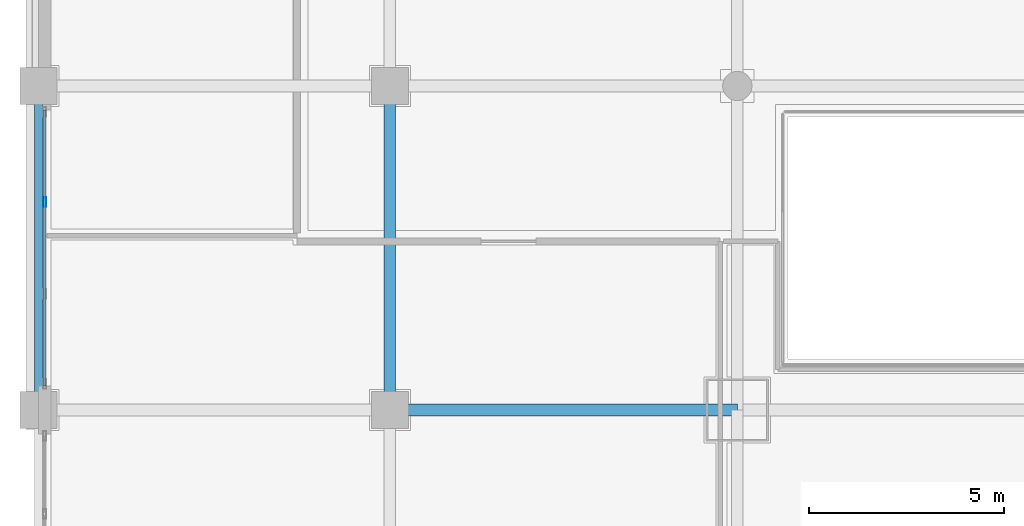
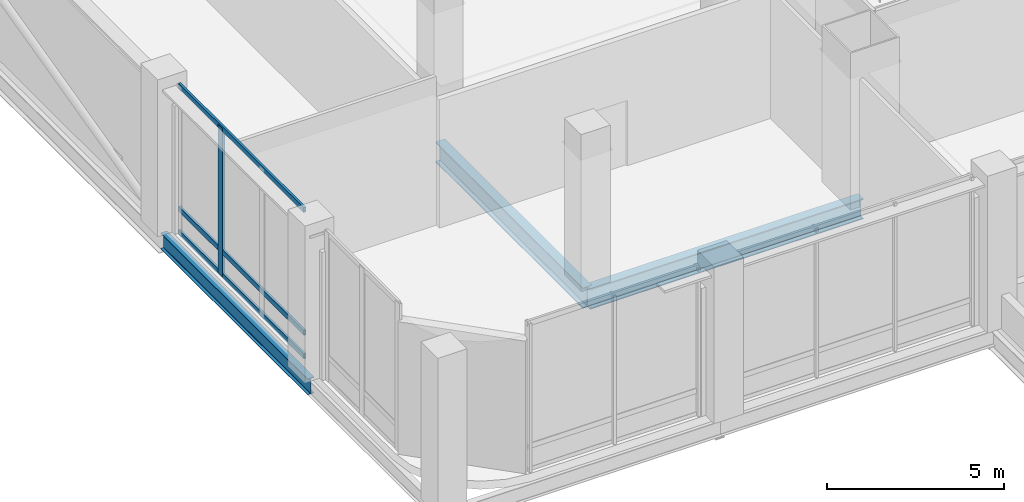
# One storey, part 3 of 43: 4 members, 3 beams, 1 element without a shape of its own.
"""IFC4 building model written with IfcOpenShell, lengths in metres."""

from ifc_helpers import new_model, si_unit, direction, frame, origin, origin_2d, place, context, subcontext, project, spatial, hollow_rectangle, i_section, extrude, material, material_profile, profile_set, type_object, element, aggregate, save


model = new_model("IFC4")

# Units and contexts
model_context = context("Model", 3, precision=1e-05, world=origin(), true_north=direction((0.0, 1.0)))
body_context = subcontext(model_context, "Body", "Model", "MODEL_VIEW")
ifc_project = project(units=[si_unit("LENGTHUNIT", "METRE"), si_unit("AREAUNIT", "SQUARE_METRE"), si_unit("VOLUMEUNIT", "CUBIC_METRE"), si_unit("PLANEANGLEUNIT", "RADIAN"), si_unit("MASSUNIT", "GRAM", prefix="KILO")], contexts=[model_context])

# Site, building, storey
site_placement = place(None, origin())
site = spatial("IfcSite", under=ifc_project, at=site_placement, CompositionType="ELEMENT")
building_placement = place(site_placement, origin())
building = spatial("IfcBuilding", under=site, at=building_placement, Name="Punatoya Terracotta Tower", CompositionType="ELEMENT")
storey_placement = place(building_placement, frame((0.0, 0.0, 6.0)))
storey = spatial("IfcBuildingStorey", under=building, at=storey_placement, Name="L01", CompositionType="ELEMENT", Elevation=6.0)

# Beams
ifc_material_1 = material(Name="Steel S355", Category="steel")
ifc_material_profile_1 = material_profile(ifc_material_1, i_section(OverallWidth=0.300048828125, OverallDepth=0.699951171875, WebThickness=0.01708984375, FlangeThickness=0.031982421875, FilletRadius=0.01806640625, at=origin_2d()))
ifc_profile_set_1 = profile_set([ifc_material_profile_1], Name="Steel S355")
beam_type_1 = type_object("IfcBeamType", Name="BM-PRI-700", PredefinedType="BEAM", material=ifc_profile_set_1)
beam_1_placement = place(storey_placement, frame((-28.0, -17.5, -0.6298828125), z_axis=(1.0, 0.0, 0.0), x_axis=(0.0, 1.0, 0.0)))
element("IfcBeam", 1, at=beam_1_placement, inside=storey, type_object=beam_type_1, Name="BM-L01-BW2", PredefinedType="BEAM", context=body_context, shape_type="SweptSolid", body=[
    extrude(i_section(OverallWidth=0.300048828125, OverallDepth=0.699951171875, WebThickness=0.01708984375, FlangeThickness=0.031982421875, FilletRadius=0.01806640625, at=origin_2d()), origin(), (0.0, 0.0, 1.0), 8.89990234375),
])
beam_2_placement = place(storey_placement, frame((-28.0, -17.5, -0.6298828125), z_axis=(0.0, 1.0, 0.0), x_axis=(-1.0, 0.0, 0.0)))
element("IfcBeam", 2, at=beam_2_placement, inside=storey, type_object=beam_type_1, Name="BM-L01-X28W--17", PredefinedType="BEAM", context=body_context, shape_type="SweptSolid", body=[
    extrude(i_section(OverallWidth=0.300048828125, OverallDepth=0.699951171875, WebThickness=0.01708984375, FlangeThickness=0.031982421875, FilletRadius=0.01806640625, at=origin_2d()), origin(), (0.0, 0.0, 1.0), 8.300048828125),
])
ifc_material_profile_2 = material_profile(ifc_material_1, i_section(OverallWidth=0.2099609375, OverallDepth=0.550048828125, WebThickness=0.010986328125, FlangeThickness=0.01708984375, FilletRadius=0.01806640625, at=origin_2d()))
ifc_profile_set_2 = profile_set([ifc_material_profile_2], Name="Steel S355")
beam_type_2 = type_object("IfcBeamType", Name="BM-SPN-550", PredefinedType="SPANDREL", material=ifc_profile_set_2)
beam_3_placement = place(storey_placement, frame((-37.0, -17.5, -0.554931640625), z_axis=(0.0, 1.0, 0.0), x_axis=(-1.0, 0.0, 0.0)))
element("IfcBeam", 3, at=beam_3_placement, inside=storey, type_object=beam_type_2, Name="BM-L01-X37W--17", PredefinedType="SPANDREL", context=body_context, shape_type="SweptSolid", body=[
    extrude(i_section(OverallWidth=0.2099609375, OverallDepth=0.550048828125, WebThickness=0.010986328125, FlangeThickness=0.01708984375, FilletRadius=0.01806640625, at=origin_2d()), origin(), (0.0, 0.0, 1.0), 8.300048828125),
])

# Curtain wall, members
ifc_material_2 = material(Name="Aluminium 6063-T6 + Double Low-E Glass", Category="aluminium")
curtain_wall_type = type_object("IfcCurtainWallType", Name="CW-POD", PredefinedType="NOTDEFINED", material=ifc_material_2)
curtain_wall_placement = place(storey_placement, origin())
curtain_wall = element("IfcCurtainWall", 4, at=curtain_wall_placement, inside=storey, type_object=curtain_wall_type, Name="L01 Curtain Wall CWP-L01-W2", PredefinedType="NOTDEFINED")
ifc_material_3 = material(Name="Aluminium 6063-T6", Category="aluminium")
ifc_material_profile_3 = material_profile(ifc_material_3, hollow_rectangle(XDim=0.0849609375, YDim=0.239990234375, WallThickness=0.0048828125, at=origin_2d()))
ifc_profile_set_3 = profile_set([ifc_material_profile_3], Name="Aluminium 6063-T6")
member_type_1 = type_object("IfcMemberType", Name="CW-MUL-POD", PredefinedType="MULLION", material=ifc_profile_set_3)
member_1_placement = place(storey_placement, frame((-36.840087890625, -12.17333984375, 0.0), z_axis=(0.0, 0.0, 1.0), x_axis=(1.0, 0.0, 0.0)))
member_1 = element("IfcMember", 5, at=member_1_placement, type_object=member_type_1, Name="CWP-L01-W2 Mullion 02", PredefinedType="MULLION", context=body_context, shape_type="SweptSolid", body=[
    extrude(hollow_rectangle(XDim=0.0849609375, YDim=0.239990234375, WallThickness=0.0048828125, at=origin_2d()), origin(), (0.0, 0.0, 1.0), 5.1201171875),
])
ifc_material_profile_4 = material_profile(ifc_material_3, hollow_rectangle(XDim=0.074951171875, YDim=0.175048828125, WallThickness=0.00439453125, at=origin_2d()))
ifc_profile_set_4 = profile_set([ifc_material_profile_4], Name="Aluminium 6063-T6")
member_type_2 = type_object("IfcMemberType", Name="CW-TRN-POD", PredefinedType="USERDEFINED", material=ifc_profile_set_4)
member_2_placement = place(storey_placement, frame((-36.840087890625, -16.8798828125, 0.0400390625), z_axis=(0.0, 1.0, 0.0), x_axis=(-1.0, 0.0, 0.0)))
member_2 = element("IfcMember", 6, at=member_2_placement, type_object=member_type_2, Name="CWP-L01-W2 Transom 1", ObjectType="TRANSOM", PredefinedType="USERDEFINED", context=body_context, shape_type="SweptSolid", body=[
    extrude(hollow_rectangle(XDim=0.074951171875, YDim=0.175048828125, WallThickness=0.00439453125, at=origin_2d()), origin(), (0.0, 0.0, 1.0), 7.059814453125),
])
member_3_placement = place(storey_placement, frame((-36.840087890625, -16.8798828125, 0.85009765625), z_axis=(0.0, 1.0, 0.0), x_axis=(-1.0, 0.0, 0.0)))
member_3 = element("IfcMember", 7, at=member_3_placement, type_object=member_type_2, Name="CWP-L01-W2 Transom 2", ObjectType="TRANSOM", PredefinedType="USERDEFINED", context=body_context, shape_type="SweptSolid", body=[
    extrude(hollow_rectangle(XDim=0.074951171875, YDim=0.175048828125, WallThickness=0.00439453125, at=origin_2d()), origin(), (0.0, 0.0, 1.0), 7.059814453125),
])
member_4_placement = place(storey_placement, frame((-36.840087890625, -16.8798828125, 5.080078125), z_axis=(0.0, 1.0, 0.0), x_axis=(-1.0, 0.0, 0.0)))
member_4 = element("IfcMember", 8, at=member_4_placement, type_object=member_type_2, Name="CWP-L01-W2 Transom 3", ObjectType="TRANSOM", PredefinedType="USERDEFINED", context=body_context, shape_type="SweptSolid", body=[
    extrude(hollow_rectangle(XDim=0.074951171875, YDim=0.175048828125, WallThickness=0.00439453125, at=origin_2d()), origin(), (0.0, 0.0, 1.0), 7.059814453125),
])
aggregate(curtain_wall, [member_1, member_2, member_3, member_4])

save(model, "model.ifc")
